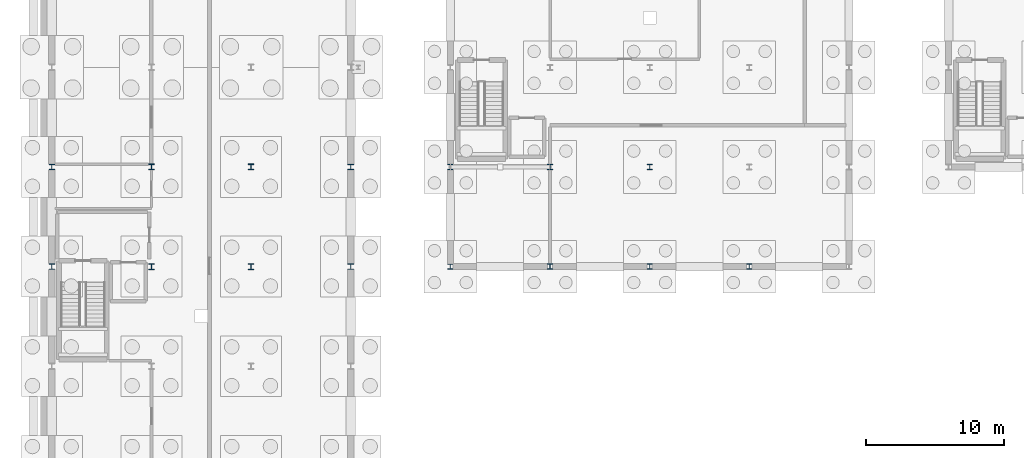
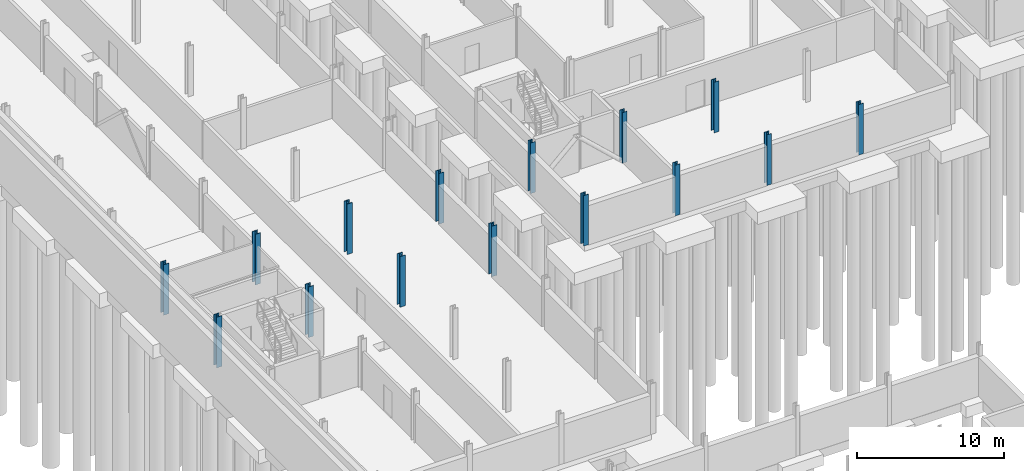
# One storey, part 10 of 50: 15 columns.
"""IFC4 building model written with IfcOpenShell, lengths in metres."""

from ifc_helpers import new_model, si_unit, direction, frame, origin, origin_2d, place, context, subcontext, project, spatial, i_section, extrude, material, material_profile, profile_set, type_object, element, save


model = new_model("IFC4")

# Units and contexts
model_context = context("Model", 3, precision=1e-05, world=origin(), true_north=direction((0.0, 1.0)))
body_context = subcontext(model_context, "Body", "Model", "MODEL_VIEW")
ifc_project = project(units=[si_unit("LENGTHUNIT", "METRE"), si_unit("AREAUNIT", "SQUARE_METRE"), si_unit("VOLUMEUNIT", "CUBIC_METRE"), si_unit("PLANEANGLEUNIT", "RADIAN"), si_unit("MASSUNIT", "GRAM", prefix="KILO")], contexts=[model_context])

# Site, building, storey
site_placement = place(None, origin())
site = spatial("IfcSite", under=ifc_project, at=site_placement, CompositionType="ELEMENT")
building_placement = place(site_placement, origin())
building = spatial("IfcBuilding", under=site, at=building_placement, Name="Narikvali Park Central Library", CompositionType="ELEMENT")
storey_placement = place(building_placement, frame((0.0, 0.0, -4.199951171875)))
storey = spatial("IfcBuildingStorey", under=building, at=storey_placement, Name="B1", CompositionType="ELEMENT", Elevation=-4.199951171875)

# Columns
ifc_material = material(Name="Steel S355", Category="steel")
ifc_material_profile_1 = material_profile(ifc_material, i_section(OverallWidth=0.375, OverallDepth=0.375, WebThickness=0.014892578125, FlangeThickness=0.0244140625, FilletRadius=0.014892578125, at=origin_2d()), Name="HD 360x216")
ifc_profile_set_1 = profile_set([ifc_material_profile_1], Name="Steel S355")
column_type_1 = type_object("IfcColumnType", Name="Atrium Corner Column HD360x216", PredefinedType="COLUMN", material=ifc_profile_set_1)
column_placement = place(storey_placement, frame((28.800048828125, 50.39990234375, 0.0), z_axis=(0.0, 0.0, 1.0), x_axis=(1.0, 0.0, 0.0)))
element("IfcColumn", 1, at=column_placement, inside=storey, type_object=column_type_1, Name="V4 B1 Column (28.8,50.4)", PredefinedType="COLUMN", context=body_context, shape_type="SweptSolid", body=[
    extrude(i_section(OverallWidth=0.375, OverallDepth=0.375, WebThickness=0.014892578125, FlangeThickness=0.0244140625, FilletRadius=0.014892578125, at=origin_2d()), origin(), (0.0, 0.0, 1.0), 4.199951171875),
])
ifc_material_profile_2 = material_profile(ifc_material, i_section(OverallWidth=0.3759765625, OverallDepth=0.3798828125, WebThickness=0.0166015625, FlangeThickness=0.026611328125, FilletRadius=0.014892578125, at=origin_2d()), Name="HD 360x237")
ifc_profile_set_2 = profile_set([ifc_material_profile_2], Name="Steel S355")
column_type_2 = type_object("IfcColumnType", Name="Atrium Edge Column HD360x237", PredefinedType="COLUMN", material=ifc_profile_set_2)
for number, where, z_axis, x_axis, name in (
    (2, (28.800048828125, 57.60009765625, 0.0), (0.0, 0.0, 1.0), (1.0, 0.0, 0.0), "V4 B1 Column (28.8,57.6)"),
    (3, (36.0, 50.39990234375, 0.0), (0.0, 0.0, 1.0), (1.0, 0.0, 0.0), "V4 B1 Column (36.0,50.4)"),
    (4, (43.199951171875, 50.39990234375, 0.0), (0.0, 0.0, 1.0), (1.0, 0.0, 0.0), "V4 B1 Column (43.2,50.4)"),
    (5, (50.39990234375, 50.39990234375, 0.0), (0.0, 0.0, 1.0), (1.0, 0.0, 0.0), "V4 B1 Column (50.4,50.4)"),
):
    element("IfcColumn", number, at=place(storey_placement, frame(where, z_axis=z_axis, x_axis=x_axis)), inside=storey, type_object=column_type_2, Name=name, PredefinedType="COLUMN", context=body_context, shape_type="SweptSolid", body=[
        extrude(i_section(OverallWidth=0.3759765625, OverallDepth=0.3798828125, WebThickness=0.0166015625, FlangeThickness=0.026611328125, FilletRadius=0.014892578125, at=origin_2d()), origin(), (0.0, 0.0, 1.0), 4.199951171875),
    ])
ifc_material_profile_3 = material_profile(ifc_material, i_section(OverallWidth=0.3779296875, OverallDepth=0.386962890625, WebThickness=0.01806640625, FlangeThickness=0.029052734375, FilletRadius=0.014892578125, at=origin_2d()), Name="HD 360x262")
ifc_profile_set_3 = profile_set([ifc_material_profile_3], Name="Steel S355")
column_type_3 = type_object("IfcColumnType", Name="Atrium Interior Column HD360x262", PredefinedType="COLUMN", material=ifc_profile_set_3)
for number, where, z_axis, x_axis, name in (
    (6, (36.0, 57.60009765625, 0.0), (0.0, 0.0, 1.0), (1.0, 0.0, 0.0), "V4 B1 Column (36.0,57.6)"),
    (7, (43.199951171875, 57.60009765625, 0.0), (0.0, 0.0, 1.0), (1.0, 0.0, 0.0), "V4 B1 Column (43.2,57.6)"),
):
    element("IfcColumn", number, at=place(storey_placement, frame(where, z_axis=z_axis, x_axis=x_axis)), inside=storey, type_object=column_type_3, Name=name, PredefinedType="COLUMN", context=body_context, shape_type="SweptSolid", body=[
        extrude(i_section(OverallWidth=0.3779296875, OverallDepth=0.386962890625, WebThickness=0.01806640625, FlangeThickness=0.029052734375, FilletRadius=0.014892578125, at=origin_2d()), origin(), (0.0, 0.0, 1.0), 4.199951171875),
    ])
ifc_material_profile_4 = material_profile(ifc_material, i_section(OverallWidth=0.412109375, OverallDepth=0.43505859375, WebThickness=0.02490234375, FlangeThickness=0.0419921875, FilletRadius=0.014892578125, at=origin_2d()), Name="HD 400x463")
ifc_profile_set_4 = profile_set([ifc_material_profile_4], Name="Steel S355")
column_type_4 = type_object("IfcColumnType", Name="Heavy Archive Column HD400x463", PredefinedType="COLUMN", material=ifc_profile_set_4)
for number, where, z_axis, x_axis, name in (
    (8, (7.199951171875, 50.39990234375, 0.0), (0.0, 0.0, 1.0), (1.0, 0.0, 0.0), "V5 B1 Column (7.2,50.4)"),
    (9, (7.199951171875, 57.60009765625, 0.0), (0.0, 0.0, 1.0), (1.0, 0.0, 0.0), "V5 B1 Column (7.2,57.6)"),
    (10, (14.39990234375, 50.39990234375, 0.0), (0.0, 0.0, 1.0), (1.0, 0.0, 0.0), "V5 B1 Column (14.4,50.4)"),
    (11, (14.39990234375, 57.60009765625, 0.0), (0.0, 0.0, 1.0), (1.0, 0.0, 0.0), "V5 B1 Column (14.4,57.6)"),
):
    element("IfcColumn", number, at=place(storey_placement, frame(where, z_axis=z_axis, x_axis=x_axis)), inside=storey, type_object=column_type_4, Name=name, PredefinedType="COLUMN", context=body_context, shape_type="SweptSolid", body=[
        extrude(i_section(OverallWidth=0.412109375, OverallDepth=0.43505859375, WebThickness=0.02490234375, FlangeThickness=0.0419921875, FilletRadius=0.014892578125, at=origin_2d()), origin(), (0.0, 0.0, 1.0), 4.199951171875),
    ])
ifc_material_profile_5 = material_profile(ifc_material, i_section(OverallWidth=0.406005859375, OverallDepth=0.416015625, WebThickness=0.021484375, FlangeThickness=0.034423828125, FilletRadius=0.014892578125, at=origin_2d()), Name="HD 400x382")
ifc_profile_set_5 = profile_set([ifc_material_profile_5], Name="Steel S355")
column_type_5 = type_object("IfcColumnType", Name="Steel Column HD400x382", PredefinedType="COLUMN", material=ifc_profile_set_5)
for number, where, z_axis, x_axis, name in (
    (12, (0.0, 50.39990234375, 0.0), (0.0, 0.0, 1.0), (1.0, 0.0, 0.0), "V5 B1 Column (0.0,50.4)"),
    (13, (0.0, 57.60009765625, 0.0), (0.0, 0.0, 1.0), (1.0, 0.0, 0.0), "V5 B1 Column (0.0,57.6)"),
    (14, (21.60009765625, 50.39990234375, 0.0), (0.0, 0.0, 1.0), (1.0, 0.0, 0.0), "V5 B1 Column (21.6,50.4)"),
    (15, (21.60009765625, 57.60009765625, 0.0), (0.0, 0.0, 1.0), (1.0, 0.0, 0.0), "V5 B1 Column (21.6,57.6)"),
):
    element("IfcColumn", number, at=place(storey_placement, frame(where, z_axis=z_axis, x_axis=x_axis)), inside=storey, type_object=column_type_5, Name=name, PredefinedType="COLUMN", context=body_context, shape_type="SweptSolid", body=[
        extrude(i_section(OverallWidth=0.406005859375, OverallDepth=0.416015625, WebThickness=0.021484375, FlangeThickness=0.034423828125, FilletRadius=0.014892578125, at=origin_2d()), origin(), (0.0, 0.0, 1.0), 4.199951171875),
    ])

save(model, "model.ifc")
